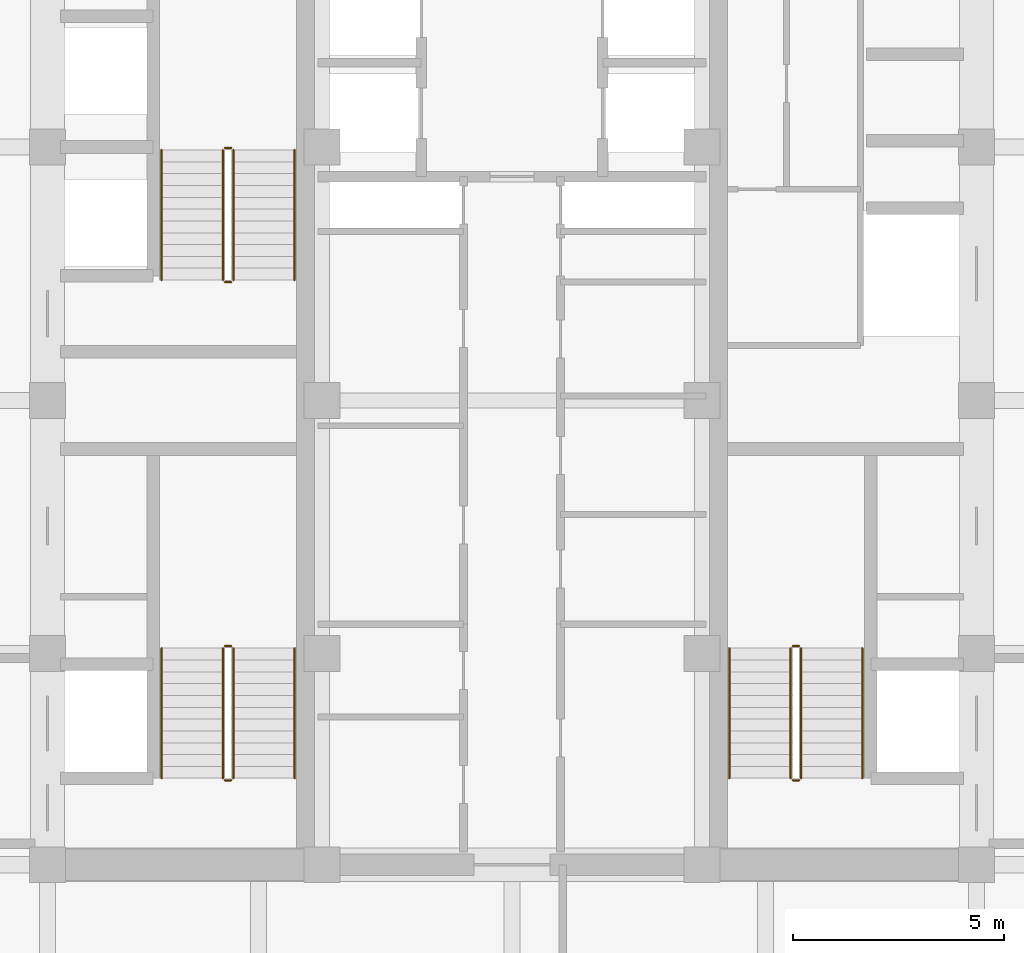
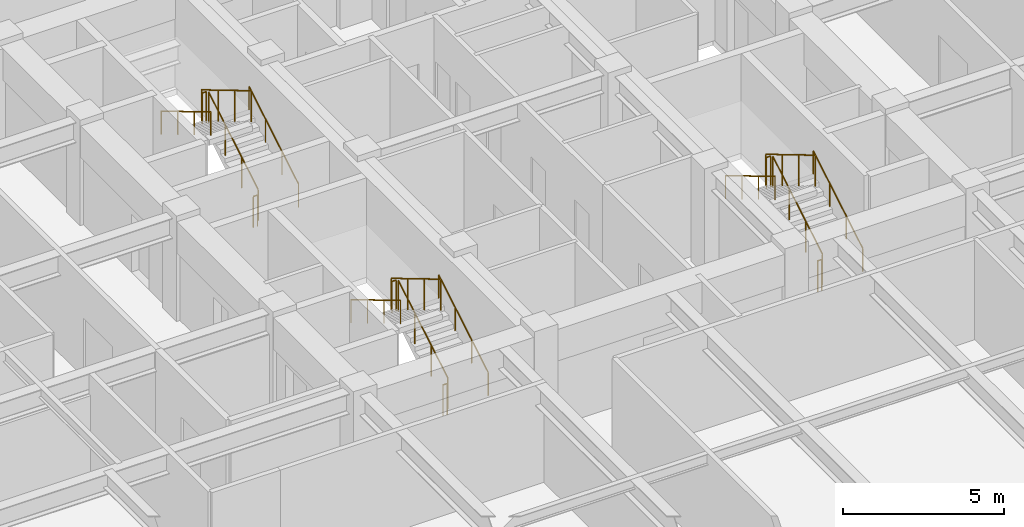
# One storey, part 24 of 24: 18 railings.
"""IFC4 building model written with IfcOpenShell, lengths in metres."""

import ifcopenshell
import ifcopenshell.guid

model = None  # the IFC model being written
_history = None  # IfcOwnerHistory: only IFC2X3 demands one
_inside = {}  # id of a spatial element -> (the spatial element, [elements in it])
_under = {}  # id of a project, library or spatial element -> (it, [spatial elements below it])
_declared = {}  # id of a project -> (the project, [libraries it declares])
_typed = {}  # id of a type object -> (the type object, [elements of that type])
_made_of = {}  # id of a material, layer set ... -> (it, [elements and type objects made of it])


def new_model(schema):
    """Start an empty IFC model of exactly this schema.

    Asked for "IFC4X3", IfcOpenShell would pick the latest addendum, in which some entities
    have other attributes; the version numbers below select the first issue.
    IFC2X3 requires an IfcOwnerHistory on every rooted entity: one is made here for all.
    """
    global model, _history
    if schema == "IFC4X3":
        model = ifcopenshell.file(schema_version=(4, 3, 0, 0))
    else:
        model = ifcopenshell.file(schema=schema)
    _inside.clear()
    _under.clear()
    _declared.clear()
    _typed.clear()
    _made_of.clear()
    _history = None
    if model.schema == "IFC2X3":
        org = make("IfcOrganization", Name="unknown")
        user = make(
            "IfcPersonAndOrganization",
            ThePerson=make("IfcPerson", FamilyName="unknown"),
            TheOrganization=org,
        )
        app = make(
            "IfcApplication",
            ApplicationDeveloper=org,
            Version="unknown",
            ApplicationFullName="unknown",
            ApplicationIdentifier="unknown",
        )
        _history = make(
            "IfcOwnerHistory",
            OwningUser=user,
            OwningApplication=app,
            ChangeAction="ADDED",
            CreationDate=0,
        )
    return model


def make(cls, **values):
    """One entity of the class cls with the attributes given. An attribute that is None is left unset."""
    return model.create_entity(
        cls, **{name: value for name, value in values.items() if value is not None}
    )


def rooted(cls, **values):
    """An entity with a GlobalId (a new one), such as an element, a storey or a relation."""
    return make(cls, GlobalId=ifcopenshell.guid.new(), OwnerHistory=_history, **values)


def si_unit(unit_type, name, prefix=None):
    """IfcSIUnit, for example si_unit("LENGTHUNIT", "METRE", prefix="MILLI")."""
    return make("IfcSIUnit", UnitType=unit_type, Prefix=prefix, Name=name)


def assignment(units):
    """IfcUnitAssignment: the units of a project."""
    return None if units is None else make("IfcUnitAssignment", Units=units)


def point(xyz):
    """IfcCartesianPoint."""
    return None if xyz is None else make("IfcCartesianPoint", Coordinates=xyz)


def direction(xyz):
    """IfcDirection."""
    return None if xyz is None else make("IfcDirection", DirectionRatios=xyz)


def frame(location, z_axis=None, x_axis=None):
    """IfcAxis2Placement3D, a coordinate frame: its origin and axes. An axis left out is left unset."""
    return make(
        "IfcAxis2Placement3D",
        Location=point(location),
        Axis=direction(z_axis),
        RefDirection=direction(x_axis),
    )


def frame_2d(location, x_axis=None):
    """IfcAxis2Placement2D, a coordinate frame in the plane: its origin and x axis."""
    return make(
        "IfcAxis2Placement2D", Location=point(location), RefDirection=direction(x_axis)
    )


def origin():
    """The frame at (0, 0, 0) with its axes left unset."""
    return frame((0.0, 0.0, 0.0))


def origin_2d():
    """The frame at (0, 0) in the plane with its x axis left unset."""
    return frame_2d((0.0, 0.0))


def place(relative_to, where):
    """IfcLocalPlacement: puts the frame where relative to a parent placement (None: the world)."""
    return make(
        "IfcLocalPlacement", PlacementRelTo=relative_to, RelativePlacement=where
    )


def context(
    kind, dimensions, precision=None, world=None, true_north=None, identifier=None
):
    """IfcGeometricRepresentationContext, for example the 3D "Model" context."""
    return make(
        "IfcGeometricRepresentationContext",
        ContextIdentifier=identifier,
        ContextType=kind,
        CoordinateSpaceDimension=dimensions,
        Precision=precision,
        WorldCoordinateSystem=world,
        TrueNorth=true_north,
    )


def subcontext(parent, identifier, kind, view, scale=None):
    """IfcGeometricRepresentationSubContext, for example "Body" below "Model"."""
    return make(
        "IfcGeometricRepresentationSubContext",
        ContextIdentifier=identifier,
        ContextType=kind,
        ParentContext=parent,
        TargetScale=scale,
        TargetView=view,
    )


def project(units=None, contexts=None):
    """IfcProject with its units and contexts."""
    return rooted(
        "IfcProject",
        Name="project",
        RepresentationContexts=contexts,
        UnitsInContext=assignment(units),
    )


def spatial(cls, under=None, at=None, **own):
    """A site, building, storey or space (cls), placed at a placement, below another one or the project."""
    s = rooted(cls, ObjectPlacement=at, **own)
    if under is not None:
        _under.setdefault(under.id(), (under, []))[1].append(s)
    return s


def profile(cls, at=None, kind="AREA", **sizes):
    """A parametric profile (cls). Its sizes go by their IFC names, for example OverallWidth=200.0."""
    return make(cls, ProfileType=kind, Position=at, **sizes)


def circle(**sizes):
    """IfcCircleProfileDef."""
    return profile("IfcCircleProfileDef", **sizes)


def extrude(swept, where, along, depth):
    """IfcExtrudedAreaSolid: the profile swept, set in the frame where, extruded along a direction by depth."""
    return make(
        "IfcExtrudedAreaSolid",
        SweptArea=swept,
        Position=where,
        ExtrudedDirection=direction(along),
        Depth=depth,
    )


def shape(context_of_items, identifier, shape_type, items):
    """IfcShapeRepresentation: the items that make up one representation, for example the "Body"."""
    return make(
        "IfcShapeRepresentation",
        ContextOfItems=context_of_items,
        RepresentationIdentifier=identifier,
        RepresentationType=shape_type,
        Items=items,
    )


def source(mapping_origin, context_of_items, identifier, shape_type, items):
    """IfcRepresentationMap: a shape defined once, which mapped items show again and again."""
    return make(
        "IfcRepresentationMap",
        MappingOrigin=mapping_origin,
        MappedRepresentation=shape(context_of_items, identifier, shape_type, items),
    )


def transform(
    local_origin,
    x_axis=None,
    y_axis=None,
    z_axis=None,
    scale=None,
    scale2=None,
    scale3=None,
    uniform=True,
):
    """IfcCartesianTransformationOperator3D, or its non-uniform kind. x_axis, y_axis, z_axis: its Axis1, 2, 3."""
    if uniform:
        return make(
            "IfcCartesianTransformationOperator3D",
            Axis1=direction(x_axis),
            Axis2=direction(y_axis),
            LocalOrigin=point(local_origin),
            Scale=scale,
            Axis3=direction(z_axis),
        )
    return make(
        "IfcCartesianTransformationOperator3DnonUniform",
        Axis1=direction(x_axis),
        Axis2=direction(y_axis),
        LocalOrigin=point(local_origin),
        Scale=scale,
        Axis3=direction(z_axis),
        Scale2=scale2,
        Scale3=scale3,
    )


def mapped(mapping_source, mapping_target):
    """IfcMappedItem: shows the shape of a source again, moved by a transform."""
    return make(
        "IfcMappedItem", MappingSource=mapping_source, MappingTarget=mapping_target
    )


def material(Name=None, Category=None):
    """IfcMaterial."""
    return make("IfcMaterial", Name=Name, Category=Category)


def made_of(thing, what):
    """Note that an element or type object is made of a material, layer set ...; save() writes the relation."""
    if what is not None:
        _made_of.setdefault(what.id(), (what, []))[1].append(thing)
    return thing


def type_object(cls, material=None, **own):
    """A type object (cls), such as IfcWallType, which elements share."""
    return made_of(rooted(cls, **own), material)


def element(
    cls,
    number,
    at=None,
    inside=None,
    cuts=None,
    type_object=None,
    material=None,
    context=None,
    identifier="Body",
    shape_type=None,
    held_by="IfcProductDefinitionShape",
    body=None,
    shapes=None,
    **own,
):
    """One element of the class cls, such as IfcWall. Its Tag is "e" and its number.

    at: its placement. inside: the storey or other place that contains it. cuts: it is an
    opening in that element (IfcRelVoidsElement). A single representation is given by context,
    identifier, shape_type and body (its items); several are given by shapes. held_by: the class
    of the entity that holds the representations. save() writes the other relations.
    """
    e = rooted(cls, Tag="e%d" % number, ObjectPlacement=at, **own)
    if body is not None:
        shapes = [shape(context, identifier, shape_type, body)]
    if shapes is not None:
        e.Representation = make(held_by, Representations=shapes)
    if inside is not None:
        _inside.setdefault(inside.id(), (inside, []))[1].append(e)
    if cuts is not None:
        rooted(
            "IfcRelVoidsElement", RelatingBuildingElement=cuts, RelatedOpeningElement=e
        )
    if type_object is not None:
        _typed.setdefault(type_object.id(), (type_object, []))[1].append(e)
    return made_of(e, material)


def aggregate(whole, parts):
    """IfcRelAggregates: a whole, such as a stair, and the parts it consists of."""
    return rooted("IfcRelAggregates", RelatingObject=whole, RelatedObjects=parts)


def save(model, path):
    """Write the relations noted so far, then the file.

    IfcRelAggregates (storeys below a building ...), IfcRelContainedInSpatialStructure (elements
    in a storey), IfcRelDefinesByType, IfcRelAssociatesMaterial and IfcRelDeclares: one each for
    every whole, place, type object, material and project.
    """
    for whole, parts in _under.values():
        aggregate(whole, parts)
    for where, things in _inside.values():
        rooted(
            "IfcRelContainedInSpatialStructure",
            RelatedElements=things,
            RelatingStructure=where,
        )
    for kind, things in _typed.values():
        rooted("IfcRelDefinesByType", RelatedObjects=things, RelatingType=kind)
    for what, things in _made_of.values():
        rooted("IfcRelAssociatesMaterial", RelatedObjects=things, RelatingMaterial=what)
    for by, libraries in _declared.values():
        rooted("IfcRelDeclares", RelatingContext=by, RelatedDefinitions=libraries)
    model.write(path)


model = new_model("IFC4")

# Units and contexts
model_context = context("Model", 3, precision=1e-05, world=origin(), true_north=direction((0.0, 1.0)))
body_context = subcontext(model_context, "Body", "Model", "MODEL_VIEW")
ifc_project = project(units=[si_unit("LENGTHUNIT", "METRE"), si_unit("AREAUNIT", "SQUARE_METRE"), si_unit("VOLUMEUNIT", "CUBIC_METRE"), si_unit("PLANEANGLEUNIT", "RADIAN"), si_unit("MASSUNIT", "GRAM", prefix="KILO")], contexts=[model_context])

# Site, building, storey
site_placement = place(None, origin())
site = spatial("IfcSite", under=ifc_project, at=site_placement, CompositionType="ELEMENT")
building_placement = place(site_placement, origin())
building = spatial("IfcBuilding", under=site, at=building_placement, Name="Khorayat Bourse Tower", CompositionType="ELEMENT")
storey_placement = place(building_placement, frame((0.0, 0.0, 167.10009765625)))
storey = spatial("IfcBuildingStorey", under=building, at=storey_placement, Name="L38", CompositionType="ELEMENT", Elevation=167.10009765625)

# Railings
ifc_material_1 = material(Name="Powder-coated steel balustrade", Category="steel")
railing_type_1 = type_object("IfcRailingType", Name="RLG-GUARD-1200", PredefinedType="GUARDRAIL", material=ifc_material_1)
shared_shape_1 = source(origin(), body_context, "Body", "SweptSolid", [
    extrude(circle(Radius=0.02392578125, at=origin_2d()), frame((0.0, 0.0, 1.17578125), z_axis=(-1.0, 0.0, 0.0), x_axis=(0.0, -1.0, 0.0)), (0.0, 0.0, 1.0), 0.150146484375),
    extrude(circle(Radius=0.02099609375, at=origin_2d()), origin(), (0.0, 0.0, 1.0), 1.15185546875),
    extrude(circle(Radius=0.02099609375, at=origin_2d()), frame((-0.150146484375, 0.0, 0.0)), (0.0, 0.0, 1.0), 1.15185546875),
])
for number, where, name in (
    (1, (-6.64990234375, -5.820068359375, 2.0), "L38 ST-1 stair guard 2"),
    (2, (-6.64990234375, -9.0, 0.0), "L38 ST-1 stair guard 4"),
    (3, (-6.64990234375, 5.97998046875, 2.0), "L38 ST-2 stair guard 2"),
    (4, (-6.64990234375, 2.800048828125, 0.0), "L38 ST-2 stair guard 4"),
    (5, (6.800048828125, -5.820068359375, 2.0), "L38 ST-3 stair guard 2"),
    (6, (6.800048828125, -9.0, 0.0), "L38 ST-3 stair guard 4"),
):
    element("IfcRailing", number, at=place(storey_placement, frame(where)), inside=storey, type_object=railing_type_1, Name=name, PredefinedType="GUARDRAIL", context=body_context, shape_type="MappedRepresentation", body=[
        mapped(shared_shape_1, transform((0.0, 0.0, 0.0), scale=1.0)),
    ])
shared_shape_2 = source(origin(), body_context, "Body", "SweptSolid", [
    extrude(circle(Radius=0.02392578125, at=origin_2d()), frame((0.0, 0.0, 1.17578125), z_axis=(0.0, 0.859260807169, 0.511537745687), x_axis=(-1.0, 0.0, 0.0)), (0.0, 0.0, 1.0), 3.584228515625),
    extrude(circle(Radius=0.02099609375, at=origin_2d()), origin(), (0.0, 0.0, 1.0), 1.15185546875),
    extrude(circle(Radius=0.02099609375, at=origin_2d()), frame((0.0, 1.026611328125, 0.611083984375)), (0.0, 0.0, 1.0), 1.15185546875),
    extrude(circle(Radius=0.02099609375, at=origin_2d()), frame((0.0, 2.05322265625, 1.222412109375)), (0.0, 0.0, 1.0), 1.15185546875),
    extrude(circle(Radius=0.02099609375, at=origin_2d()), frame((0.0, 3.079833984375, 1.83349609375)), (0.0, 0.0, 1.0), 1.15185546875),
])
for number, where, name in (
    (7, (-6.60009765625, -8.949951171875, 0.16650390625), "L38 ST-1 stair guard 1"),
    (8, (-6.60009765625, 2.85009765625, 0.16650390625), "L38 ST-2 stair guard 1"),
    (9, (6.85009765625, -8.949951171875, 0.16650390625), "L38 ST-3 stair guard 1"),
):
    element("IfcRailing", number, at=place(storey_placement, frame(where)), inside=storey, type_object=railing_type_1, Name=name, PredefinedType="GUARDRAIL", context=body_context, shape_type="MappedRepresentation", body=[
        mapped(shared_shape_2, transform((0.0, 0.0, 0.0), scale=1.0)),
    ])
shared_shape_3 = source(origin(), body_context, "Body", "SweptSolid", [
    extrude(circle(Radius=0.02392578125, at=origin_2d()), frame((0.0, 0.0, 1.17578125), z_axis=(0.0, -0.859260807169, 0.511537745687), x_axis=(1.0, 0.0, 0.0)), (0.0, 0.0, 1.0), 3.584228515625),
    extrude(circle(Radius=0.02099609375, at=origin_2d()), origin(), (0.0, 0.0, 1.0), 1.15185546875),
    extrude(circle(Radius=0.02099609375, at=origin_2d()), frame((0.0, -1.026611328125, 0.611083984375)), (0.0, 0.0, 1.0), 1.15185546875),
    extrude(circle(Radius=0.02099609375, at=origin_2d()), frame((0.0, -2.05322265625, 1.222412109375)), (0.0, 0.0, 1.0), 1.15185546875),
    extrude(circle(Radius=0.02099609375, at=origin_2d()), frame((0.0, -3.079833984375, 1.83349609375)), (0.0, 0.0, 1.0), 1.15185546875),
])
for number, where, name in (
    (10, (-6.85009765625, -5.8701171875, 2.16650390625), "L38 ST-1 stair guard 3"),
    (11, (-6.85009765625, 5.929931640625, 2.16650390625), "L38 ST-2 stair guard 3"),
    (12, (6.60009765625, -5.8701171875, 2.16650390625), "L38 ST-3 stair guard 3"),
):
    element("IfcRailing", number, at=place(storey_placement, frame(where)), inside=storey, type_object=railing_type_1, Name=name, PredefinedType="GUARDRAIL", context=body_context, shape_type="MappedRepresentation", body=[
        mapped(shared_shape_3, transform((0.0, 0.0, 0.0), scale=1.0)),
    ])
ifc_material_2 = material(Name="Brushed bronze stainless-steel handrail", Category="steel")
railing_type_2 = type_object("IfcRailingType", Name="RLG-HAND-900", PredefinedType="HANDRAIL", material=ifc_material_2)
shared_shape_4 = source(origin(), body_context, "Body", "SweptSolid", [
    extrude(circle(Radius=0.02392578125, at=origin_2d()), frame((0.0, 0.0, 0.8759765625), z_axis=(0.0, 0.859260807169, 0.511537745687), x_axis=(-1.0, 0.0, 0.0)), (0.0, 0.0, 1.0), 3.584228515625),
    extrude(circle(Radius=0.02099609375, at=origin_2d()), origin(), (0.0, 0.0, 1.0), 0.851806640625),
    extrude(circle(Radius=0.02099609375, at=origin_2d()), frame((0.0, 1.026611328125, 0.611083984375)), (0.0, 0.0, 1.0), 0.851806640625),
    extrude(circle(Radius=0.02099609375, at=origin_2d()), frame((0.0, 2.05322265625, 1.222412109375)), (0.0, 0.0, 1.0), 0.851806640625),
    extrude(circle(Radius=0.02099609375, at=origin_2d()), frame((0.0, 3.079833984375, 1.83349609375)), (0.0, 0.0, 1.0), 0.851806640625),
])
for number, where, name in (
    (13, (-5.14990234375, -8.949951171875, 0.16650390625), "L38 ST-1 stair handrail 1"),
    (14, (-5.14990234375, 2.85009765625, 0.16650390625), "L38 ST-2 stair handrail 1"),
    (15, (8.300048828125, -8.949951171875, 0.16650390625), "L38 ST-3 stair handrail 1"),
):
    element("IfcRailing", number, at=place(storey_placement, frame(where)), inside=storey, type_object=railing_type_2, Name=name, PredefinedType="HANDRAIL", context=body_context, shape_type="MappedRepresentation", body=[
        mapped(shared_shape_4, transform((0.0, 0.0, 0.0), scale=1.0)),
    ])
shared_shape_5 = source(origin(), body_context, "Body", "SweptSolid", [
    extrude(circle(Radius=0.02392578125, at=origin_2d()), frame((0.0, 0.0, 0.8759765625), z_axis=(0.0, -0.859260807169, 0.511537745687), x_axis=(1.0, 0.0, 0.0)), (0.0, 0.0, 1.0), 3.584228515625),
    extrude(circle(Radius=0.02099609375, at=origin_2d()), origin(), (0.0, 0.0, 1.0), 0.851806640625),
    extrude(circle(Radius=0.02099609375, at=origin_2d()), frame((0.0, -1.026611328125, 0.611083984375)), (0.0, 0.0, 1.0), 0.851806640625),
    extrude(circle(Radius=0.02099609375, at=origin_2d()), frame((0.0, -2.05322265625, 1.222412109375)), (0.0, 0.0, 1.0), 0.851806640625),
    extrude(circle(Radius=0.02099609375, at=origin_2d()), frame((0.0, -3.079833984375, 1.83349609375)), (0.0, 0.0, 1.0), 0.851806640625),
])
for number, where, name in (
    (16, (-8.300048828125, -5.8701171875, 2.16650390625), "L38 ST-1 stair handrail 2"),
    (17, (-8.300048828125, 5.929931640625, 2.16650390625), "L38 ST-2 stair handrail 2"),
    (18, (5.14990234375, -5.8701171875, 2.16650390625), "L38 ST-3 stair handrail 2"),
):
    element("IfcRailing", number, at=place(storey_placement, frame(where)), inside=storey, type_object=railing_type_2, Name=name, PredefinedType="HANDRAIL", context=body_context, shape_type="MappedRepresentation", body=[
        mapped(shared_shape_5, transform((0.0, 0.0, 0.0), scale=1.0)),
    ])

save(model, "model.ifc")
